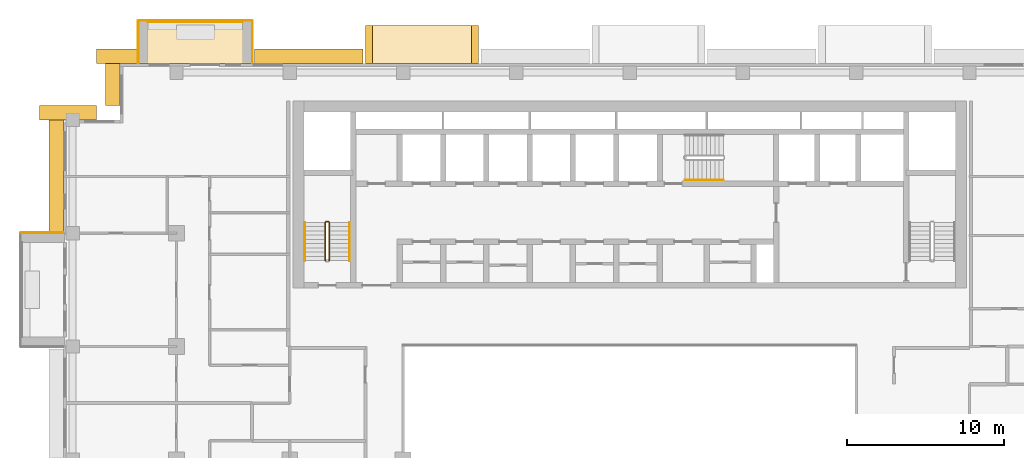
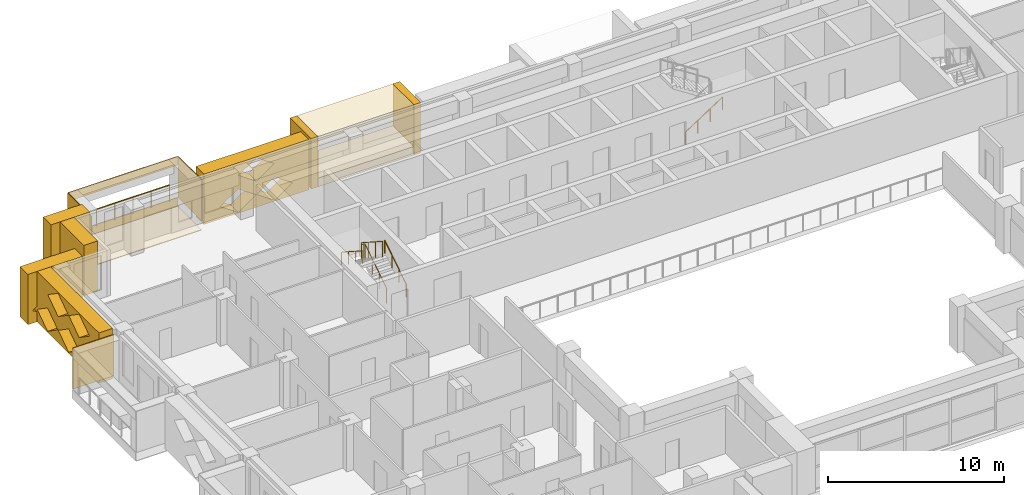
# One storey, part 18 of 20: 15 coverings, 5 railings.
"""IFC4 building model written with IfcOpenShell, lengths in metres."""

from ifc_helpers import new_model, si_unit, direction, frame, origin, origin_2d, place, context, subcontext, project, spatial, polyline, circle, outline, extrude, material, layer, layer_set, type_object, element, save


model = new_model("IFC4")

# Units and contexts
model_context = context("Model", 3, precision=1e-05, world=origin(), true_north=direction((0.0, 1.0)))
body_context = subcontext(model_context, "Body", "Model", "MODEL_VIEW")
ifc_project = project(units=[si_unit("LENGTHUNIT", "METRE"), si_unit("AREAUNIT", "SQUARE_METRE"), si_unit("VOLUMEUNIT", "CUBIC_METRE"), si_unit("PLANEANGLEUNIT", "RADIAN"), si_unit("MASSUNIT", "GRAM", prefix="KILO")], contexts=[model_context])

# Site, building, storey
site_placement = place(None, origin())
site = spatial("IfcSite", under=ifc_project, at=site_placement, CompositionType="ELEMENT")
building_placement = place(site_placement, origin())
building = spatial("IfcBuilding", under=site, at=building_placement, Name="Saffron Iwan Residences", CompositionType="ELEMENT")
storey_placement = place(building_placement, frame((0.0, 0.0, 153.5)))
storey = spatial("IfcBuildingStorey", under=building, at=storey_placement, Name="L40", CompositionType="ELEMENT", Elevation=153.5)

# Railing
ifc_material_1 = material(Name="Stainless steel 316", Category="steel")
railing_type_1 = type_object("IfcRailingType", Name="BALCONY GUARD 1150", PredefinedType="GUARDRAIL", material=ifc_material_1)
railing_1_placement = place(storey_placement, frame((25.800048828125, 83.02490234375, 0.0)))
element("IfcRailing", 1, at=railing_1_placement, inside=storey, type_object=railing_type_1, Name="Balcony guard L40 F5-3", PredefinedType="GUARDRAIL", context=body_context, shape_type="SweptSolid", body=[
    extrude(circle(Radius=0.02392578125, at=origin_2d()), frame((0.0, 0.0, 1.1259765625), z_axis=(-1.0, 0.0, 0.0), x_axis=(0.0, -1.0, 0.0)), (0.0, 0.0, 1.0), 6.0),
    extrude(circle(Radius=0.02099609375, at=origin_2d()), origin(), (0.0, 0.0, 1.0), 1.101806640625),
    extrude(circle(Radius=0.02099609375, at=origin_2d()), frame((-1.199951171875, 0.0, 0.0)), (0.0, 0.0, 1.0), 1.101806640625),
    extrude(circle(Radius=0.02099609375, at=origin_2d()), frame((-2.39990234375, 0.0, 0.0)), (0.0, 0.0, 1.0), 1.101806640625),
    extrude(circle(Radius=0.02099609375, at=origin_2d()), frame((-3.60009765625, 0.0, 0.0)), (0.0, 0.0, 1.0), 1.101806640625),
    extrude(circle(Radius=0.02099609375, at=origin_2d()), frame((-4.800048828125, 0.0, 0.0)), (0.0, 0.0, 1.0), 1.101806640625),
    extrude(circle(Radius=0.02099609375, at=origin_2d()), frame((-6.0, 0.0, 0.0)), (0.0, 0.0, 1.0), 1.101806640625),
])

# Coverings
ifc_material_2 = material(Name="Precast concrete C40/50 white painted", Category="concrete")
ifc_layer = layer(ifc_material_2, 0.050048828125)
ifc_layer_set = layer_set([ifc_layer], Name="Precast concrete C40/50 white painted")
covering_type_1 = type_object("IfcCoveringType", Name="FRAME SKIN PRECAST WHITE 50", PredefinedType="CLADDING", material=ifc_layer_set)
for number, where, name in (
    (2, (0.0, 0.0, -0.60009765625), "Frame skin slab edge L40 F5-3"),
    (3, (0.0, 0.0, 2.25), "Frame skin fascia L40 F5-3"),
):
    element("IfcCovering", number, at=place(storey_placement, frame(where)), inside=storey, type_object=covering_type_1, Name=name, PredefinedType="CLADDING", context=body_context, shape_type="SweptSolid", body=[
        extrude(outline(polyline([(26.39990234375, 83.14990234375), (19.199951171875, 83.14990234375), (19.199951171875, 83.10009765625), (26.39990234375, 83.10009765625), (26.39990234375, 83.14990234375)])), origin(), (0.0, 0.0, 1.0), 0.60009765625),
    ])
covering_1_placement = place(storey_placement, frame((0.0, 0.0, -0.64990234375)))
element("IfcCovering", 4, at=covering_1_placement, inside=storey, type_object=covering_type_1, Name="Frame skin soffit L40 F5-3", PredefinedType="CLADDING", context=body_context, shape_type="SweptSolid", body=[
    extrude(outline(polyline([(26.39990234375, 83.10009765625), (19.199951171875, 83.10009765625), (19.199951171875, 80.39990234375), (26.39990234375, 80.39990234375), (26.39990234375, 83.10009765625)])), origin(), (0.0, 0.0, 1.0), 0.0498046875),
])
covering_2_placement = place(storey_placement, origin())
element("IfcCovering", 5, at=covering_2_placement, inside=storey, type_object=covering_type_1, Name="Frame skin fin L40 F5-3a", PredefinedType="CLADDING", context=body_context, shape_type="SweptSolid", body=[
    extrude(outline(polyline([(26.449951171875, 83.10009765625), (26.39990234375, 83.10009765625), (26.39990234375, 80.39990234375), (26.449951171875, 80.39990234375), (26.449951171875, 83.10009765625)])), origin(), (0.0, 0.0, 1.0), 2.85009765625),
])
covering_3_placement = place(storey_placement, origin())
element("IfcCovering", 6, at=covering_3_placement, inside=storey, type_object=covering_type_1, Name="Frame skin fin L40 F5-3b", PredefinedType="CLADDING", context=body_context, shape_type="SweptSolid", body=[
    extrude(outline(polyline([(19.199951171875, 83.10009765625), (19.14990234375, 83.10009765625), (19.14990234375, 80.39990234375), (19.199951171875, 80.39990234375), (19.199951171875, 83.10009765625)])), origin(), (0.0, 0.0, 1.0), 2.85009765625),
])
covering_4_placement = place(storey_placement, origin())
element("IfcCovering", 7, at=covering_4_placement, inside=storey, type_object=covering_type_1, Name="Frame skin fin L40 F8-0a", PredefinedType="CLADDING", context=body_context, shape_type="SweptSolid", body=[
    extrude(outline(polyline([(11.699951171875, 69.64990234375), (11.699951171875, 69.60009765625), (14.39990234375, 69.60009765625), (14.39990234375, 69.64990234375), (11.699951171875, 69.64990234375)])), origin(), (0.0, 0.0, 1.0), 2.85009765625),
])
ifc_material_3 = material(Name="Precast concrete C40/50", Category="concrete")
covering_type_2 = type_object("IfcCoveringType", Name="OUTER SKIN LATTICE SCREEN", PredefinedType="CLADDING", material=ifc_material_3)
covering_5_placement = place(storey_placement, frame((33.449951171875, 80.39990234375, -0.300048828125), z_axis=(0.0, 1.0, 0.0), x_axis=(-1.0, 0.0, 0.0)))
element("IfcCovering", 8, at=covering_5_placement, inside=storey, type_object=covering_type_2, Name="OUTER SKIN lattice screen L40 F5.3", PredefinedType="CLADDING", context=body_context, shape_type="SweptSolid", body=[
    extrude(outline(polyline([(0.0, 0.0), (6.89990234375, 0.0), (6.89990234375, 3.5), (0.0, 3.5), (0.0, 0.0)]), holes=[polyline([(1.070068359375, 0.875), (2.25, 0.06005859375), (3.429931640625, 0.875), (2.25, 1.68994140625), (1.070068359375, 0.875)]), polyline([(3.469970703125, 0.875), (4.64990234375, 0.06005859375), (5.830078125, 0.875), (4.64990234375, 1.68994140625), (3.469970703125, 0.875)]), polyline([(2.27001953125, 2.625), (3.449951171875, 1.81005859375), (4.6298828125, 2.625), (3.449951171875, 3.43994140625), (2.27001953125, 2.625)])]), origin(), (0.0, 0.0, 1.0), 0.900146484375),
])
covering_6_placement = place(storey_placement, frame((19.050048828125, 80.39990234375, -0.300048828125), z_axis=(0.0, 1.0, 0.0), x_axis=(-1.0, 0.0, 0.0)))
element("IfcCovering", 9, at=covering_6_placement, inside=storey, type_object=covering_type_2, Name="OUTER SKIN lattice screen L40 F5.4", PredefinedType="CLADDING", context=body_context, shape_type="SweptSolid", body=[
    extrude(outline(polyline([(0.0, 0.0), (2.550048828125, 0.0), (2.550048828125, 3.5), (0.0, 3.5), (0.0, 0.0)])), origin(), (0.0, 0.0, 1.0), 0.900146484375),
])
for number, where, z_axis, x_axis, name in (
    (10, (18.0, 81.300048828125, -0.300048828125), (-1.0, 0.0, 0.0), (0.0, -1.0, 0.0), "OUTER SKIN lattice screen L40 F6.0"),
    (11, (16.5, 76.800048828125, -0.300048828125), (0.0, 1.0, 0.0), (-1.0, 0.0, 0.0), "OUTER SKIN lattice screen L40 F7.0"),
):
    element("IfcCovering", number, at=place(storey_placement, frame(where, z_axis=z_axis, x_axis=x_axis)), inside=storey, type_object=covering_type_2, Name=name, PredefinedType="CLADDING", context=body_context, shape_type="SweptSolid", body=[
        extrude(outline(polyline([(0.0, 0.0), (3.60009765625, 0.0), (3.60009765625, 3.5), (0.0, 3.5), (0.0, 0.0)]), holes=[polyline([(0.919921875, 0.875), (2.10009765625, 0.06005859375), (3.280029296875, 0.875), (2.10009765625, 1.68994140625), (0.919921875, 0.875)])]), origin(), (0.0, 0.0, 1.0), 0.89990234375),
    ])
covering_7_placement = place(storey_placement, frame((14.39990234375, 77.699951171875, -0.300048828125), z_axis=(-1.0, 0.0, 0.0), x_axis=(0.0, -1.0, 0.0)))
element("IfcCovering", 12, at=covering_7_placement, inside=storey, type_object=covering_type_2, Name="OUTER SKIN lattice screen L40 F8.0", PredefinedType="CLADDING", context=body_context, shape_type="SweptSolid", body=[
    extrude(outline(polyline([(0.0, 0.0), (7.949951171875, 0.0), (7.949951171875, 3.5), (0.0, 3.5), (0.0, 0.0)]), holes=[polyline([(0.919921875, 0.875), (2.10009765625, 0.06005859375), (3.280029296875, 0.875), (2.10009765625, 1.68994140625), (0.919921875, 0.875)]), polyline([(3.320068359375, 0.875), (4.5, 0.06005859375), (5.679931640625, 0.875), (4.5, 1.68994140625), (3.320068359375, 0.875)]), polyline([(2.1201171875, 2.625), (3.300048828125, 1.81005859375), (4.47998046875, 2.625), (3.300048828125, 3.43994140625), (2.1201171875, 2.625)]), polyline([(4.52001953125, 2.625), (5.699951171875, 1.81005859375), (6.8798828125, 2.625), (5.699951171875, 3.43994140625), (4.52001953125, 2.625)])]), origin(), (0.0, 0.0, 1.0), 0.89990234375),
])

# Railings
ifc_material_4 = material(Name="Steel S355", Category="steel")
railing_type_2 = type_object("IfcRailingType", Name="Stair guard 1100", PredefinedType="GUARDRAIL", material=ifc_material_4)
railing_2_placement = place(storey_placement, frame((31.300048828125, 67.85009765625, 0.175048828125)))
element("IfcRailing", 13, at=railing_2_placement, inside=storey, type_object=railing_type_2, Name="L40 ST-W stair guard 1", PredefinedType="GUARDRAIL", context=body_context, shape_type="SweptSolid", body=[
    extrude(circle(Radius=0.02392578125, at=origin_2d()), frame((0.0, 0.0, 1.076171875), z_axis=(0.0, 0.839153699163, 0.543894354798), x_axis=(-1.0, 0.0, 0.0)), (0.0, 0.0, 1.0), 2.895751953125),
    extrude(circle(Radius=0.02392578125, at=origin_2d()), frame((0.0, 2.429931640625, 2.65087890625), z_axis=(-0.707106781187, 0.707106781187, 0.0), x_axis=(-0.707106781187, -0.707106781187, 0.0)), (0.0, 0.0, 1.0), 0.07080078125),
    extrude(circle(Radius=0.02392578125, at=origin_2d()), frame((-0.050048828125, 2.47998046875, 2.65087890625), z_axis=(-1.0, 0.0, 0.0), x_axis=(0.0, -1.0, 0.0)), (0.0, 0.0, 1.0), 0.14990234375),
    extrude(circle(Radius=0.02392578125, at=origin_2d()), frame((-0.199951171875, 2.47998046875, 2.65087890625), z_axis=(-0.265065253269, -0.265065253269, 0.927081885822), x_axis=(0.707106781187, -0.707106781187, 0.0)), (0.0, 0.0, 1.0), 0.188720703125),
    extrude(circle(Radius=0.02392578125, at=origin_2d()), frame((-0.25, 2.429931640625, 2.826171875), z_axis=(0.0, -0.839153699163, 0.543894354798), x_axis=(1.0, 0.0, 0.0)), (0.0, 0.0, 1.0), 2.895751953125),
    extrude(circle(Radius=0.02099609375, at=origin_2d()), origin(), (0.0, 0.0, 1.0), 1.052001953125),
    extrude(circle(Radius=0.02099609375, at=origin_2d()), frame((0.0, 0.81005859375, 0.52490234375)), (0.0, 0.0, 1.0), 1.052001953125),
    extrude(circle(Radius=0.02099609375, at=origin_2d()), frame((0.0, 1.619873046875, 1.050048828125)), (0.0, 0.0, 1.0), 1.052001953125),
    extrude(circle(Radius=0.02099609375, at=origin_2d()), frame((0.0, 2.429931640625, 1.574951171875)), (0.0, 0.0, 1.0), 1.052001953125),
    extrude(circle(Radius=0.02099609375, at=origin_2d()), frame((-0.050048828125, 2.47998046875, 1.574951171875)), (0.0, 0.0, 1.0), 1.052001953125),
    extrude(circle(Radius=0.02099609375, at=origin_2d()), frame((-0.199951171875, 2.47998046875, 1.574951171875)), (0.0, 0.0, 1.0), 1.052001953125),
    extrude(circle(Radius=0.02099609375, at=origin_2d()), frame((-0.25, 2.429931640625, 1.75)), (0.0, 0.0, 1.0), 1.052001953125),
    extrude(circle(Radius=0.02099609375, at=origin_2d()), frame((-0.25, 1.619873046875, 2.27490234375)), (0.0, 0.0, 1.0), 1.052001953125),
    extrude(circle(Radius=0.02099609375, at=origin_2d()), frame((-0.25, 0.81005859375, 2.800048828125)), (0.0, 0.0, 1.0), 1.052001953125),
    extrude(circle(Radius=0.02099609375, at=origin_2d()), frame((-0.25, 0.0, 3.324951171875)), (0.0, 0.0, 1.0), 1.052001953125),
])
railing_type_3 = type_object("IfcRailingType", Name="Stair handrail 900", PredefinedType="HANDRAIL", material=ifc_material_1)
railing_3_placement = place(storey_placement, frame((32.60009765625, 67.85009765625, 0.175048828125)))
element("IfcRailing", 14, at=railing_3_placement, inside=storey, type_object=railing_type_3, Name="L40 ST-W stair handrail 1", PredefinedType="HANDRAIL", context=body_context, shape_type="SweptSolid", body=[
    extrude(circle(Radius=0.02392578125, at=origin_2d()), frame((0.0, 0.0, 0.8759765625), z_axis=(0.0, 0.839153699163, 0.543894354798), x_axis=(-1.0, 0.0, 0.0)), (0.0, 0.0, 1.0), 2.895751953125),
    extrude(circle(Radius=0.02099609375, at=origin_2d()), origin(), (0.0, 0.0, 1.0), 0.851806640625),
    extrude(circle(Radius=0.02099609375, at=origin_2d()), frame((0.0, 0.81005859375, 0.52490234375)), (0.0, 0.0, 1.0), 0.851806640625),
    extrude(circle(Radius=0.02099609375, at=origin_2d()), frame((0.0, 1.619873046875, 1.050048828125)), (0.0, 0.0, 1.0), 0.851806640625),
    extrude(circle(Radius=0.02099609375, at=origin_2d()), frame((0.0, 2.429931640625, 1.574951171875)), (0.0, 0.0, 1.0), 0.851806640625),
])
railing_4_placement = place(storey_placement, frame((29.75, 70.280029296875, 1.925048828125)))
element("IfcRailing", 15, at=railing_4_placement, inside=storey, type_object=railing_type_3, Name="L40 ST-W stair handrail 2", PredefinedType="HANDRAIL", context=body_context, shape_type="SweptSolid", body=[
    extrude(circle(Radius=0.02392578125, at=origin_2d()), frame((0.0, 0.0, 0.8759765625), z_axis=(0.0, -0.839153699163, 0.543894354798), x_axis=(1.0, 0.0, 0.0)), (0.0, 0.0, 1.0), 2.895751953125),
    extrude(circle(Radius=0.02099609375, at=origin_2d()), origin(), (0.0, 0.0, 1.0), 0.851806640625),
    extrude(circle(Radius=0.02099609375, at=origin_2d()), frame((0.0, -0.81005859375, 0.52490234375)), (0.0, 0.0, 1.0), 0.851806640625),
    extrude(circle(Radius=0.02099609375, at=origin_2d()), frame((0.0, -1.619873046875, 1.050048828125)), (0.0, 0.0, 1.0), 0.851806640625),
    extrude(circle(Radius=0.02099609375, at=origin_2d()), frame((0.0, -2.429931640625, 1.574951171875)), (0.0, 0.0, 1.0), 0.851806640625),
])
railing_5_placement = place(storey_placement, frame((53.925048828125, 72.97509765625, 0.175048828125)))
element("IfcRailing", 16, at=railing_5_placement, inside=storey, type_object=railing_type_3, Name="L40 ST-C stair handrail 1", PredefinedType="HANDRAIL", context=body_context, shape_type="SweptSolid", body=[
    extrude(circle(Radius=0.02392578125, at=origin_2d()), frame((0.0, 0.0, 0.8759765625), z_axis=(0.839153699163, 0.0, 0.543894354798), x_axis=(0.0, 1.0, 0.0)), (0.0, 0.0, 1.0), 2.895751953125),
    extrude(circle(Radius=0.02099609375, at=origin_2d()), origin(), (0.0, 0.0, 1.0), 0.851806640625),
    extrude(circle(Radius=0.02099609375, at=origin_2d()), frame((0.81005859375, 0.0, 0.52490234375)), (0.0, 0.0, 1.0), 0.851806640625),
    extrude(circle(Radius=0.02099609375, at=origin_2d()), frame((1.619873046875, 0.0, 1.050048828125)), (0.0, 0.0, 1.0), 0.851806640625),
    extrude(circle(Radius=0.02099609375, at=origin_2d()), frame((2.429931640625, 0.0, 1.574951171875)), (0.0, 0.0, 1.0), 0.851806640625),
])

# Coverings
covering_type_3 = type_object("IfcCoveringType", Name="WHITE SUN FRAME PRECAST", PredefinedType="CLADDING", material=ifc_material_2)
for number, where, z_axis, x_axis, name in (
    (17, (40.800048828125, 80.39990234375, -0.300048828125), (0.0, 1.0, 0.0), (-1.0, 0.0, 0.0), "Sun frame L40 F5 42.0a"),
    (18, (34.050048828125, 80.39990234375, -0.300048828125), (0.0, 1.0, 0.0), (-1.0, 0.0, 0.0), "Sun frame L40 F5 42.0b"),
):
    element("IfcCovering", number, at=place(storey_placement, frame(where, z_axis=z_axis, x_axis=x_axis)), inside=storey, type_object=covering_type_3, Name=name, PredefinedType="CLADDING", context=body_context, shape_type="SweptSolid", body=[
        extrude(outline(polyline([(0.0, 0.0), (0.449951171875, 0.0), (0.449951171875, 3.5), (0.0, 3.5), (0.0, 0.0)])), origin(), (0.0, 0.0, 1.0), 2.400146484375),
    ])
for number, where, z_axis, x_axis, name in (
    (19, (40.35009765625, 80.39990234375, 2.60009765625), (0.0, 1.0, 0.0), (-1.0, 0.0, 0.0), "Sun frame L40 F5 42.0h"),
    (20, (40.35009765625, 80.39990234375, -0.300048828125), (0.0, 1.0, 0.0), (-1.0, 0.0, 0.0), "Sun frame L40 F5 42.0s"),
):
    element("IfcCovering", number, at=place(storey_placement, frame(where, z_axis=z_axis, x_axis=x_axis)), inside=storey, type_object=covering_type_3, Name=name, PredefinedType="CLADDING", context=body_context, shape_type="SweptSolid", body=[
        extrude(outline(polyline([(0.0, 0.0), (6.300048828125, 0.0), (6.300048828125, 0.60009765625), (0.0, 0.60009765625), (0.0, 0.0)])), origin(), (0.0, 0.0, 1.0), 2.400146484375),
    ])

save(model, "model.ifc")
